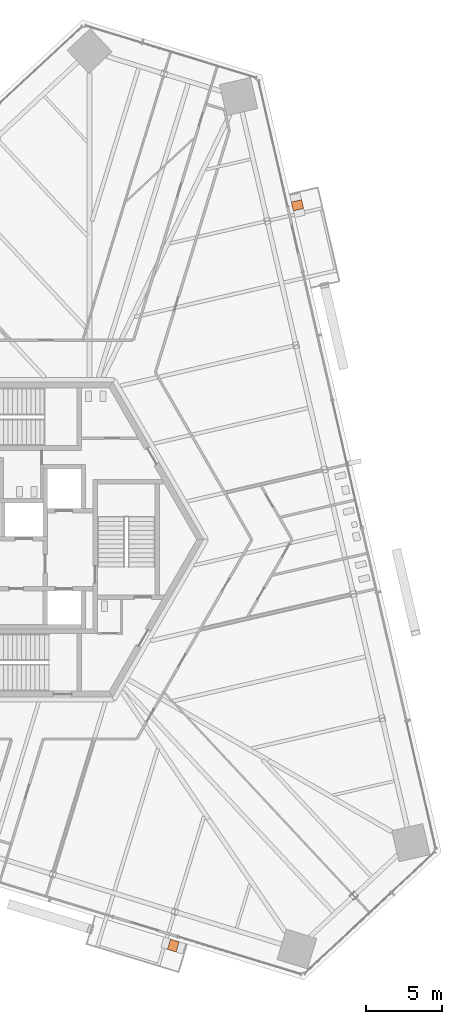
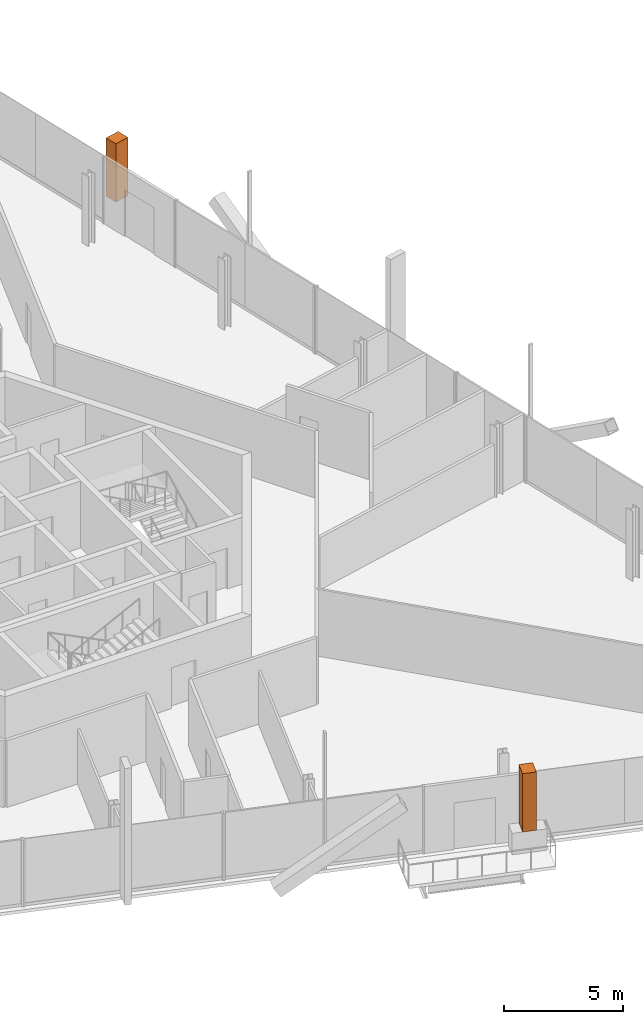
# One storey, part 21 of 21: 2 geographic elements.
"""IFC4 building model written with IfcOpenShell, lengths in metres."""

from ifc_helpers import new_model, si_unit, direction, frame, origin, origin_2d, place, context, subcontext, project, spatial, rectangle, extrude, source, transform, mapped, material, type_object, element, save


model = new_model("IFC4")

# Units and contexts
model_context = context("Model", 3, precision=1e-05, world=origin(), true_north=direction((0.0, 1.0)))
body_context = subcontext(model_context, "Body", "Model", "MODEL_VIEW")
ifc_project = project(units=[si_unit("LENGTHUNIT", "METRE"), si_unit("AREAUNIT", "SQUARE_METRE"), si_unit("VOLUMEUNIT", "CUBIC_METRE"), si_unit("PLANEANGLEUNIT", "RADIAN"), si_unit("MASSUNIT", "GRAM", prefix="KILO")], contexts=[model_context])

# Site, building, storey
site_placement = place(None, origin())
site = spatial("IfcSite", under=ifc_project, at=site_placement, CompositionType="ELEMENT")
building_placement = place(site_placement, origin())
building = spatial("IfcBuilding", under=site, at=building_placement, Name="Triune Harvest Tower", CompositionType="ELEMENT")
storey_placement = place(building_placement, frame((0.0, 0.0, 119.89990234375)))
storey = spatial("IfcBuildingStorey", under=building, at=storey_placement, Name="L30", CompositionType="ELEMENT", Elevation=119.89990234375)

# Geographic elements
ifc_material = material(Name="TREE-1 tree")
geographic_element_type = type_object("IfcGeographicElementType", Name="TREE-1 tree", PredefinedType="USERDEFINED", material=ifc_material)
shared_shape = source(origin(), body_context, "Body", "SweptSolid", [
    extrude(rectangle(XDim=0.60009765625, YDim=0.699951171875, at=origin_2d()), origin(), (0.0, 0.0, 1.0), 3.0),
])
for number, where, z_axis, x_axis, name in (
    (1, (18.181884765625, 22.041748046875, 1.10009765625), (0.0, 0.0, 1.0), (-0.22495121687, 0.974370027263, 0.0), "Tree B3-F1 L30.10b"),
    (2, (9.997802734375, -26.766845703125, 1.10009765625), (0.0, 0.0, 1.0), (0.956304229664, -0.292373426164, 0.0), "Tree B3-F5 L30.10b"),
):
    element("IfcGeographicElement", number, at=place(storey_placement, frame(where, z_axis=z_axis, x_axis=x_axis)), inside=storey, type_object=geographic_element_type, Name=name, ObjectType="TREE", PredefinedType="USERDEFINED", context=body_context, shape_type="MappedRepresentation", body=[
        mapped(shared_shape, transform((0.0, 0.0, 0.0), scale=1.0)),
    ])

save(model, "model.ifc")
